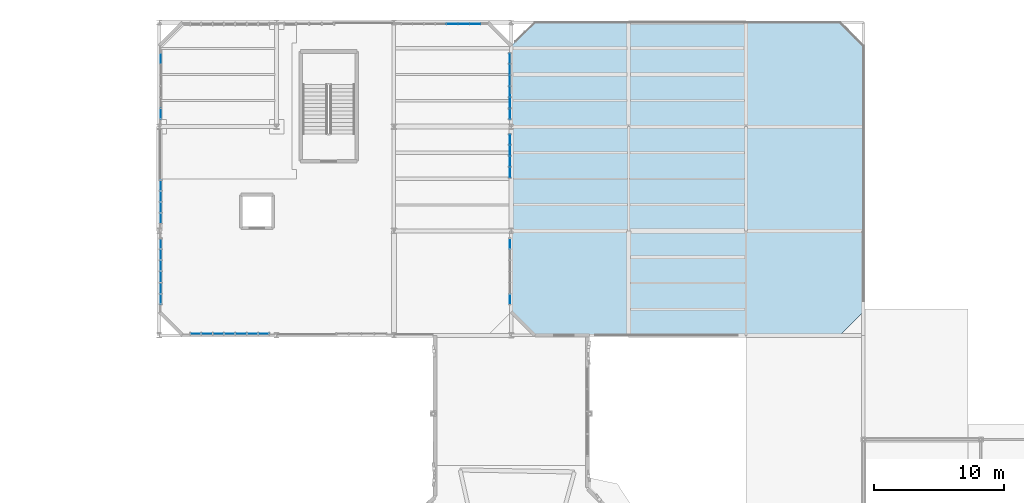
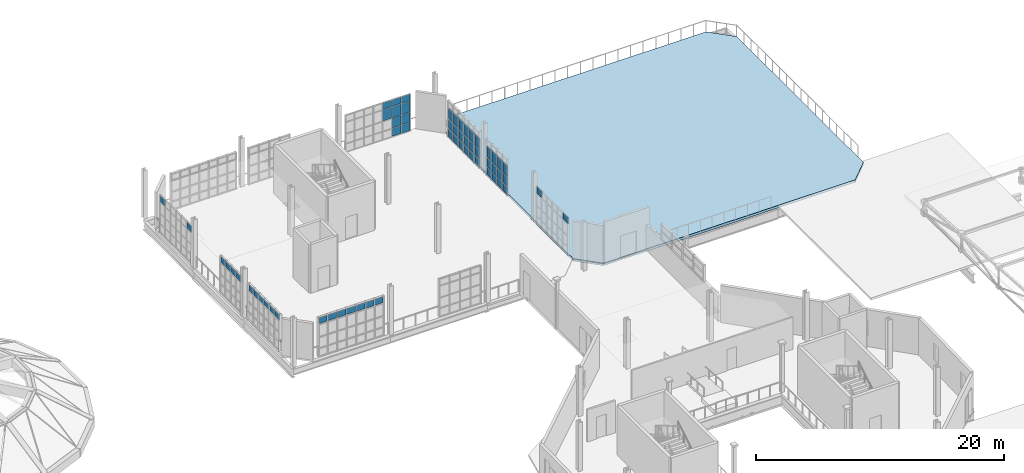
# One storey, part 73 of 85: 61 plates, 1 slab, 8 elements without a shape of their own.
"""IFC4 building model written with IfcOpenShell, lengths in metres."""

from ifc_helpers import new_model, si_unit, direction, frame, origin, origin_2d, place, context, subcontext, project, spatial, polyline, rectangle, outline, extrude, material, layer, layer_set, type_object, element, aggregate, save


model = new_model("IFC4")

# Units and contexts
model_context = context("Model", 3, precision=1e-05, world=origin(), true_north=direction((0.0, 1.0)))
body_context = subcontext(model_context, "Body", "Model", "MODEL_VIEW")
ifc_project = project(units=[si_unit("LENGTHUNIT", "METRE"), si_unit("AREAUNIT", "SQUARE_METRE"), si_unit("VOLUMEUNIT", "CUBIC_METRE"), si_unit("PLANEANGLEUNIT", "RADIAN"), si_unit("MASSUNIT", "GRAM", prefix="KILO"), si_unit("THERMODYNAMICTEMPERATUREUNIT", "KELVIN"), si_unit("POWERUNIT", "WATT")], contexts=[model_context])

# Site, building, storey
site_placement = place(None, origin())
site = spatial("IfcSite", under=ifc_project, at=site_placement, CompositionType="ELEMENT")
building_placement = place(site_placement, origin())
building = spatial("IfcBuilding", under=site, at=building_placement, Name="Zelmaris Science Centre", CompositionType="ELEMENT")
storey_placement = place(building_placement, frame((0.0, 0.0, 20.39990234375)))
storey = spatial("IfcBuildingStorey", under=building, at=storey_placement, Name="L04", CompositionType="ELEMENT", Elevation=20.39990234375)

# Curtain wall, plates
ifc_material_1 = material(Name="Anodised architectural aluminium 6063-T6", Category="aluminium")
ifc_layer_1 = layer(ifc_material_1, 0.18994140625, Name="Anodised architectural aluminium 6063-T6")
ifc_layer_set_1 = layer_set([ifc_layer_1], Name="Anodised architectural aluminium 6063-T6")
curtain_wall_type_1 = type_object("IfcCurtainWallType", Name="Curtain Wall CW-01", PredefinedType="USERDEFINED", material=ifc_layer_set_1)
curtain_wall_1_placement = place(storey_placement, origin())
curtain_wall_1 = element("IfcCurtainWall", 1, at=curtain_wall_1_placement, inside=storey, type_object=curtain_wall_type_1, Name="L04 Unitised curtain wall 337", ObjectType="GLAZED CURTAIN WALL", PredefinedType="USERDEFINED")
ifc_material_2 = material(Name="Laminated hurricane-rated low-E insulated glazing", Category="glass")
ifc_layer_2 = layer(ifc_material_2, 0.031982421875, Name="Laminated hurricane-rated low-E insulated glazing")
ifc_layer_set_2 = layer_set([ifc_layer_2], Name="Laminated hurricane-rated low-E insulated glazing")
plate_type_1 = type_object("IfcPlateType", Name="Curtain Glazing Panel CWP-1 32mm", PredefinedType="CURTAIN_PANEL", material=ifc_layer_set_2)
plate_1_placement = place(storey_placement, frame((54.1201171875, 66.78466796875, 2.93896484375), z_axis=(0.0, 0.0, 1.0), x_axis=(0.0, 1.0, 0.0)))
plate_1 = element("IfcPlate", 2, at=plate_1_placement, type_object=plate_type_1, Name="CW-01 panel 1.4", PredefinedType="CURTAIN_PANEL", context=body_context, shape_type="SweptSolid", body=[
    extrude(rectangle(XDim=0.745361328125, YDim=0.031982421875, at=origin_2d()), origin(), (0.0, 0.0, 1.0), 0.592041015625),
])
plate_2_placement = place(storey_placement, frame((54.1201171875, 67.6201171875, 2.93896484375), z_axis=(0.0, 0.0, 1.0), x_axis=(0.0, 1.0, 0.0)))
plate_2 = element("IfcPlate", 3, at=plate_2_placement, type_object=plate_type_1, Name="CW-01 panel 2.4", PredefinedType="CURTAIN_PANEL", context=body_context, shape_type="SweptSolid", body=[
    extrude(rectangle(XDim=0.78125, YDim=0.031982421875, at=origin_2d()), origin(), (0.0, 0.0, 1.0), 0.592041015625),
])
plate_3_placement = place(storey_placement, frame((54.1201171875, 68.473388671875, 2.93896484375), z_axis=(0.0, 0.0, 1.0), x_axis=(0.0, 1.0, 0.0)))
plate_3 = element("IfcPlate", 4, at=plate_3_placement, type_object=plate_type_1, Name="CW-01 panel 3.4", PredefinedType="CURTAIN_PANEL", context=body_context, shape_type="SweptSolid", body=[
    extrude(rectangle(XDim=0.78125, YDim=0.031982421875, at=origin_2d()), origin(), (0.0, 0.0, 1.0), 0.592041015625),
])
plate_4_placement = place(storey_placement, frame((54.1201171875, 69.32666015625, 2.93896484375), z_axis=(0.0, 0.0, 1.0), x_axis=(0.0, 1.0, 0.0)))
plate_4 = element("IfcPlate", 5, at=plate_4_placement, type_object=plate_type_1, Name="CW-01 panel 4.4", PredefinedType="CURTAIN_PANEL", context=body_context, shape_type="SweptSolid", body=[
    extrude(rectangle(XDim=0.78125, YDim=0.031982421875, at=origin_2d()), origin(), (0.0, 0.0, 1.0), 0.592041015625),
])
plate_5_placement = place(storey_placement, frame((54.1201171875, 70.179931640625, 2.93896484375), z_axis=(0.0, 0.0, 1.0), x_axis=(0.0, 1.0, 0.0)))
plate_5 = element("IfcPlate", 6, at=plate_5_placement, type_object=plate_type_1, Name="CW-01 panel 5.4", PredefinedType="CURTAIN_PANEL", context=body_context, shape_type="SweptSolid", body=[
    extrude(rectangle(XDim=0.78125, YDim=0.031982421875, at=origin_2d()), origin(), (0.0, 0.0, 1.0), 0.592041015625),
])
plate_6_placement = place(storey_placement, frame((54.1201171875, 71.015380859375, 2.93896484375), z_axis=(0.0, 0.0, 1.0), x_axis=(0.0, 1.0, 0.0)))
plate_6 = element("IfcPlate", 7, at=plate_6_placement, type_object=plate_type_1, Name="CW-01 panel 6.4", PredefinedType="CURTAIN_PANEL", context=body_context, shape_type="SweptSolid", body=[
    extrude(rectangle(XDim=0.745361328125, YDim=0.031982421875, at=origin_2d()), origin(), (0.0, 0.0, 1.0), 0.592041015625),
])
aggregate(curtain_wall_1, [plate_1, plate_2, plate_3, plate_4, plate_5, plate_6])

curtain_wall_2_placement = place(storey_placement, origin())
curtain_wall_2 = element("IfcCurtainWall", 8, at=curtain_wall_2_placement, inside=storey, type_object=curtain_wall_type_1, Name="L04 Unitised curtain wall 345", ObjectType="GLAZED CURTAIN WALL", PredefinedType="USERDEFINED")
plate_7_placement = place(storey_placement, frame((80.880615234375, 85.21533203125, 0.05712890625), z_axis=(0.0, 0.0, 1.0), x_axis=(0.000781249768, -0.999999694824, 0.0)))
plate_7 = element("IfcPlate", 9, at=plate_7_placement, type_object=plate_type_1, Name="CW-01 panel 1.1", PredefinedType="CURTAIN_PANEL", context=body_context, shape_type="SweptSolid", body=[
    extrude(rectangle(XDim=0.745361328125, YDim=0.031982421875, at=origin_2d()), origin(), (0.0, 0.0, 1.0), 0.741943359375),
])
plate_8_placement = place(storey_placement, frame((80.880615234375, 85.21533203125, 0.87109375), z_axis=(0.0, 0.0, 1.0), x_axis=(0.000781249768, -0.999999694824, 0.0)))
plate_8 = element("IfcPlate", 10, at=plate_8_placement, type_object=plate_type_1, Name="CW-01 panel 1.2", PredefinedType="CURTAIN_PANEL", context=body_context, shape_type="SweptSolid", body=[
    extrude(rectangle(XDim=0.745361328125, YDim=0.031982421875, at=origin_2d()), origin(), (0.0, 0.0, 1.0), 0.87939453125),
])
plate_9_placement = place(storey_placement, frame((80.880615234375, 85.21533203125, 1.82275390625), z_axis=(0.0, 0.0, 1.0), x_axis=(0.000781249768, -0.999999694824, 0.0)))
plate_9 = element("IfcPlate", 11, at=plate_9_placement, type_object=plate_type_1, Name="CW-01 panel 1.3", PredefinedType="CURTAIN_PANEL", context=body_context, shape_type="SweptSolid", body=[
    extrude(rectangle(XDim=0.745361328125, YDim=0.031982421875, at=origin_2d()), origin(), (0.0, 0.0, 1.0), 1.029541015625),
])
plate_10_placement = place(storey_placement, frame((80.88134765625, 84.3798828125, 0.05712890625), z_axis=(0.0, 0.0, 1.0), x_axis=(0.000781249768, -0.999999694824, 0.0)))
plate_10 = element("IfcPlate", 12, at=plate_10_placement, type_object=plate_type_1, Name="CW-01 panel 2.1", PredefinedType="CURTAIN_PANEL", context=body_context, shape_type="SweptSolid", body=[
    extrude(rectangle(XDim=0.78125, YDim=0.031982421875, at=origin_2d()), origin(), (0.0, 0.0, 1.0), 0.741943359375),
])
plate_11_placement = place(storey_placement, frame((80.88134765625, 84.3798828125, 0.87109375), z_axis=(0.0, 0.0, 1.0), x_axis=(0.000781249768, -0.999999694824, 0.0)))
plate_11 = element("IfcPlate", 13, at=plate_11_placement, type_object=plate_type_1, Name="CW-01 panel 2.2", PredefinedType="CURTAIN_PANEL", context=body_context, shape_type="SweptSolid", body=[
    extrude(rectangle(XDim=0.78125, YDim=0.031982421875, at=origin_2d()), origin(), (0.0, 0.0, 1.0), 0.87939453125),
])
plate_12_placement = place(storey_placement, frame((80.88134765625, 84.3798828125, 1.82275390625), z_axis=(0.0, 0.0, 1.0), x_axis=(0.000781249768, -0.999999694824, 0.0)))
plate_12 = element("IfcPlate", 14, at=plate_12_placement, type_object=plate_type_1, Name="CW-01 panel 2.3", PredefinedType="CURTAIN_PANEL", context=body_context, shape_type="SweptSolid", body=[
    extrude(rectangle(XDim=0.78125, YDim=0.031982421875, at=origin_2d()), origin(), (0.0, 0.0, 1.0), 1.029541015625),
])
plate_13_placement = place(storey_placement, frame((80.882080078125, 83.526611328125, 0.05712890625), z_axis=(0.0, 0.0, 1.0), x_axis=(0.000781249768, -0.999999694824, 0.0)))
plate_13 = element("IfcPlate", 15, at=plate_13_placement, type_object=plate_type_1, Name="CW-01 panel 3.1", PredefinedType="CURTAIN_PANEL", context=body_context, shape_type="SweptSolid", body=[
    extrude(rectangle(XDim=0.78125, YDim=0.031982421875, at=origin_2d()), origin(), (0.0, 0.0, 1.0), 0.741943359375),
])
plate_14_placement = place(storey_placement, frame((80.882080078125, 83.526611328125, 0.87109375), z_axis=(0.0, 0.0, 1.0), x_axis=(0.000781249768, -0.999999694824, 0.0)))
plate_14 = element("IfcPlate", 16, at=plate_14_placement, type_object=plate_type_1, Name="CW-01 panel 3.2", PredefinedType="CURTAIN_PANEL", context=body_context, shape_type="SweptSolid", body=[
    extrude(rectangle(XDim=0.78125, YDim=0.031982421875, at=origin_2d()), origin(), (0.0, 0.0, 1.0), 0.87939453125),
])
plate_15_placement = place(storey_placement, frame((80.882080078125, 83.526611328125, 1.82275390625), z_axis=(0.0, 0.0, 1.0), x_axis=(0.000781249768, -0.999999694824, 0.0)))
plate_15 = element("IfcPlate", 17, at=plate_15_placement, type_object=plate_type_1, Name="CW-01 panel 3.3", PredefinedType="CURTAIN_PANEL", context=body_context, shape_type="SweptSolid", body=[
    extrude(rectangle(XDim=0.78125, YDim=0.031982421875, at=origin_2d()), origin(), (0.0, 0.0, 1.0), 1.029541015625),
])
plate_16_placement = place(storey_placement, frame((80.882568359375, 82.67333984375, 0.05712890625), z_axis=(0.0, 0.0, 1.0), x_axis=(0.000781249768, -0.999999694824, 0.0)))
plate_16 = element("IfcPlate", 18, at=plate_16_placement, type_object=plate_type_1, Name="CW-01 panel 4.1", PredefinedType="CURTAIN_PANEL", context=body_context, shape_type="SweptSolid", body=[
    extrude(rectangle(XDim=0.78125, YDim=0.031982421875, at=origin_2d()), origin(), (0.0, 0.0, 1.0), 0.741943359375),
])
plate_17_placement = place(storey_placement, frame((80.882568359375, 82.67333984375, 0.87109375), z_axis=(0.0, 0.0, 1.0), x_axis=(0.000781249768, -0.999999694824, 0.0)))
plate_17 = element("IfcPlate", 19, at=plate_17_placement, type_object=plate_type_1, Name="CW-01 panel 4.2", PredefinedType="CURTAIN_PANEL", context=body_context, shape_type="SweptSolid", body=[
    extrude(rectangle(XDim=0.78125, YDim=0.031982421875, at=origin_2d()), origin(), (0.0, 0.0, 1.0), 0.87939453125),
])
plate_18_placement = place(storey_placement, frame((80.882568359375, 82.67333984375, 1.82275390625), z_axis=(0.0, 0.0, 1.0), x_axis=(0.000781249768, -0.999999694824, 0.0)))
plate_18 = element("IfcPlate", 20, at=plate_18_placement, type_object=plate_type_1, Name="CW-01 panel 4.3", PredefinedType="CURTAIN_PANEL", context=body_context, shape_type="SweptSolid", body=[
    extrude(rectangle(XDim=0.78125, YDim=0.031982421875, at=origin_2d()), origin(), (0.0, 0.0, 1.0), 1.029541015625),
])
plate_19_placement = place(storey_placement, frame((80.88330078125, 81.81982421875, 0.05712890625), z_axis=(0.0, 0.0, 1.0), x_axis=(0.000781249768, -0.999999694824, 0.0)))
plate_19 = element("IfcPlate", 21, at=plate_19_placement, type_object=plate_type_1, Name="CW-01 panel 5.1", PredefinedType="CURTAIN_PANEL", context=body_context, shape_type="SweptSolid", body=[
    extrude(rectangle(XDim=0.78125, YDim=0.031982421875, at=origin_2d()), origin(), (0.0, 0.0, 1.0), 0.741943359375),
])
plate_20_placement = place(storey_placement, frame((80.88330078125, 81.81982421875, 0.87109375), z_axis=(0.0, 0.0, 1.0), x_axis=(0.000781249768, -0.999999694824, 0.0)))
plate_20 = element("IfcPlate", 22, at=plate_20_placement, type_object=plate_type_1, Name="CW-01 panel 5.2", PredefinedType="CURTAIN_PANEL", context=body_context, shape_type="SweptSolid", body=[
    extrude(rectangle(XDim=0.78125, YDim=0.031982421875, at=origin_2d()), origin(), (0.0, 0.0, 1.0), 0.87939453125),
])
plate_21_placement = place(storey_placement, frame((80.88330078125, 81.81982421875, 1.82275390625), z_axis=(0.0, 0.0, 1.0), x_axis=(0.000781249768, -0.999999694824, 0.0)))
plate_21 = element("IfcPlate", 23, at=plate_21_placement, type_object=plate_type_1, Name="CW-01 panel 5.3", PredefinedType="CURTAIN_PANEL", context=body_context, shape_type="SweptSolid", body=[
    extrude(rectangle(XDim=0.78125, YDim=0.031982421875, at=origin_2d()), origin(), (0.0, 0.0, 1.0), 1.029541015625),
])
plate_22_placement = place(storey_placement, frame((80.884033203125, 80.984619140625, 0.05712890625), z_axis=(0.0, 0.0, 1.0), x_axis=(0.000781249768, -0.999999694824, 0.0)))
plate_22 = element("IfcPlate", 24, at=plate_22_placement, type_object=plate_type_1, Name="CW-01 panel 6.1", PredefinedType="CURTAIN_PANEL", context=body_context, shape_type="SweptSolid", body=[
    extrude(rectangle(XDim=0.745361328125, YDim=0.031982421875, at=origin_2d()), origin(), (0.0, 0.0, 1.0), 0.741943359375),
])
plate_23_placement = place(storey_placement, frame((80.884033203125, 80.984619140625, 0.87109375), z_axis=(0.0, 0.0, 1.0), x_axis=(0.000781249768, -0.999999694824, 0.0)))
plate_23 = element("IfcPlate", 25, at=plate_23_placement, type_object=plate_type_1, Name="CW-01 panel 6.2", PredefinedType="CURTAIN_PANEL", context=body_context, shape_type="SweptSolid", body=[
    extrude(rectangle(XDim=0.745361328125, YDim=0.031982421875, at=origin_2d()), origin(), (0.0, 0.0, 1.0), 0.87939453125),
])
plate_24_placement = place(storey_placement, frame((80.884033203125, 80.984619140625, 1.82275390625), z_axis=(0.0, 0.0, 1.0), x_axis=(0.000781249768, -0.999999694824, 0.0)))
plate_24 = element("IfcPlate", 26, at=plate_24_placement, type_object=plate_type_1, Name="CW-01 panel 6.3", PredefinedType="CURTAIN_PANEL", context=body_context, shape_type="SweptSolid", body=[
    extrude(rectangle(XDim=0.745361328125, YDim=0.031982421875, at=origin_2d()), origin(), (0.0, 0.0, 1.0), 1.029541015625),
])
aggregate(curtain_wall_2, [plate_7, plate_8, plate_9, plate_10, plate_11, plate_12, plate_13, plate_14, plate_15, plate_16, plate_17, plate_18, plate_19, plate_20, plate_21, plate_22, plate_23, plate_24])

curtain_wall_3_placement = place(storey_placement, origin())
curtain_wall_3 = element("IfcCurtainWall", 27, at=curtain_wall_3_placement, inside=storey, type_object=curtain_wall_type_1, Name="L04 Unitised curtain wall 357", ObjectType="GLAZED CURTAIN WALL", PredefinedType="USERDEFINED")
plate_25_placement = place(storey_placement, frame((62.0048828125, 64.1201171875, 3.22412109375), z_axis=(0.0, 0.0, 1.0), x_axis=(-0.999999999867, 1.6339877e-05, 0.0)))
plate_25 = element("IfcPlate", 28, at=plate_25_placement, type_object=plate_type_1, Name="CW-01 panel 1.4", PredefinedType="CURTAIN_PANEL", context=body_context, shape_type="SweptSolid", body=[
    extrude(rectangle(XDim=0.766357421875, YDim=0.031982421875, at=origin_2d()), origin(), (0.0, 0.0, 1.0), 0.592041015625),
])
plate_26_placement = place(storey_placement, frame((61.148681640625, 64.1201171875, 3.22412109375), z_axis=(0.0, 0.0, 1.0), x_axis=(-0.999999999867, 1.6339877e-05, 0.0)))
plate_26 = element("IfcPlate", 29, at=plate_26_placement, type_object=plate_type_1, Name="CW-01 panel 2.4", PredefinedType="CURTAIN_PANEL", context=body_context, shape_type="SweptSolid", body=[
    extrude(rectangle(XDim=0.80224609375, YDim=0.031982421875, at=origin_2d()), origin(), (0.0, 0.0, 1.0), 0.592041015625),
])
plate_27_placement = place(storey_placement, frame((60.274169921875, 64.1201171875, 3.22412109375), z_axis=(0.0, 0.0, 1.0), x_axis=(-0.999999999867, 1.6339877e-05, 0.0)))
plate_27 = element("IfcPlate", 30, at=plate_27_placement, type_object=plate_type_1, Name="CW-01 panel 3.4", PredefinedType="CURTAIN_PANEL", context=body_context, shape_type="SweptSolid", body=[
    extrude(rectangle(XDim=0.80224609375, YDim=0.031982421875, at=origin_2d()), origin(), (0.0, 0.0, 1.0), 0.592041015625),
])
plate_28_placement = place(storey_placement, frame((59.39990234375, 64.1201171875, 3.22412109375), z_axis=(0.0, 0.0, 1.0), x_axis=(-0.999999999867, 1.6339877e-05, 0.0)))
plate_28 = element("IfcPlate", 31, at=plate_28_placement, type_object=plate_type_1, Name="CW-01 panel 4.4", PredefinedType="CURTAIN_PANEL", context=body_context, shape_type="SweptSolid", body=[
    extrude(rectangle(XDim=0.80224609375, YDim=0.031982421875, at=origin_2d()), origin(), (0.0, 0.0, 1.0), 0.592041015625),
])
plate_29_placement = place(storey_placement, frame((58.525634765625, 64.1201171875, 3.22412109375), z_axis=(0.0, 0.0, 1.0), x_axis=(-0.999999999867, 1.6339877e-05, 0.0)))
plate_29 = element("IfcPlate", 32, at=plate_29_placement, type_object=plate_type_1, Name="CW-01 panel 5.4", PredefinedType="CURTAIN_PANEL", context=body_context, shape_type="SweptSolid", body=[
    extrude(rectangle(XDim=0.80224609375, YDim=0.031982421875, at=origin_2d()), origin(), (0.0, 0.0, 1.0), 0.592041015625),
])
plate_30_placement = place(storey_placement, frame((57.6513671875, 64.1201171875, 3.22412109375), z_axis=(0.0, 0.0, 1.0), x_axis=(-0.999999999867, 1.6339877e-05, 0.0)))
plate_30 = element("IfcPlate", 33, at=plate_30_placement, type_object=plate_type_1, Name="CW-01 panel 6.4", PredefinedType="CURTAIN_PANEL", context=body_context, shape_type="SweptSolid", body=[
    extrude(rectangle(XDim=0.80224609375, YDim=0.031982421875, at=origin_2d()), origin(), (0.0, 0.0, 1.0), 0.592041015625),
])
plate_31_placement = place(storey_placement, frame((56.795166015625, 64.1201171875, 3.22412109375), z_axis=(0.0, 0.0, 1.0), x_axis=(-0.999999999867, 1.6339877e-05, 0.0)))
plate_31 = element("IfcPlate", 34, at=plate_31_placement, type_object=plate_type_1, Name="CW-01 panel 7.4", PredefinedType="CURTAIN_PANEL", context=body_context, shape_type="SweptSolid", body=[
    extrude(rectangle(XDim=0.766357421875, YDim=0.031982421875, at=origin_2d()), origin(), (0.0, 0.0, 1.0), 0.592041015625),
])
aggregate(curtain_wall_3, [plate_25, plate_26, plate_27, plate_28, plate_29, plate_30, plate_31])

ifc_layer_3 = layer(ifc_material_1, 0.199951171875, Name="Anodised architectural aluminium 6063-T6")
ifc_layer_set_3 = layer_set([ifc_layer_3], Name="Anodised architectural aluminium 6063-T6")
curtain_wall_type_2 = type_object("IfcCurtainWallType", Name="Curtain Wall CW-02", PredefinedType="USERDEFINED", material=ifc_layer_set_3)
curtain_wall_4_placement = place(storey_placement, origin())
curtain_wall_4 = element("IfcCurtainWall", 35, at=curtain_wall_4_placement, inside=storey, type_object=curtain_wall_type_2, Name="L04 Unitised curtain wall 338", ObjectType="GLAZED CURTAIN WALL", PredefinedType="USERDEFINED")
ifc_layer_4 = layer(ifc_material_2, 0.028076171875, Name="Laminated hurricane-rated low-E insulated glazing")
ifc_layer_set_4 = layer_set([ifc_layer_4], Name="Laminated hurricane-rated low-E insulated glazing")
plate_type_2 = type_object("IfcPlateType", Name="Curtain Glazing Panel CWP-2 28mm", PredefinedType="CURTAIN_PANEL", material=ifc_layer_set_4)
plate_32_placement = place(storey_placement, frame((54.1201171875, 72.981689453125, 2.9365234375), z_axis=(0.0, 0.0, 1.0), x_axis=(0.0, 1.0, 0.0)))
plate_32 = element("IfcPlate", 36, at=plate_32_placement, type_object=plate_type_2, Name="CW-02 panel 1.4", PredefinedType="CURTAIN_PANEL", context=body_context, shape_type="SweptSolid", body=[
    extrude(rectangle(XDim=0.74951171875, YDim=0.028076171875, at=origin_2d()), origin(), (0.0, 0.0, 1.0), 0.599609375),
])
plate_33_placement = place(storey_placement, frame((54.1201171875, 73.81494140625, 2.9365234375), z_axis=(0.0, 0.0, 1.0), x_axis=(0.0, 1.0, 0.0)))
plate_33 = element("IfcPlate", 37, at=plate_33_placement, type_object=plate_type_2, Name="CW-02 panel 2.4", PredefinedType="CURTAIN_PANEL", context=body_context, shape_type="SweptSolid", body=[
    extrude(rectangle(XDim=0.782958984375, YDim=0.028076171875, at=origin_2d()), origin(), (0.0, 0.0, 1.0), 0.599609375),
])
plate_34_placement = place(storey_placement, frame((54.1201171875, 74.6650390625, 2.9365234375), z_axis=(0.0, 0.0, 1.0), x_axis=(0.0, 1.0, 0.0)))
plate_34 = element("IfcPlate", 38, at=plate_34_placement, type_object=plate_type_2, Name="CW-02 panel 3.4", PredefinedType="CURTAIN_PANEL", context=body_context, shape_type="SweptSolid", body=[
    extrude(rectangle(XDim=0.782958984375, YDim=0.028076171875, at=origin_2d()), origin(), (0.0, 0.0, 1.0), 0.599609375),
])
plate_35_placement = place(storey_placement, frame((54.1201171875, 75.498291015625, 2.9365234375), z_axis=(0.0, 0.0, 1.0), x_axis=(0.0, 1.0, 0.0)))
plate_35 = element("IfcPlate", 39, at=plate_35_placement, type_object=plate_type_2, Name="CW-02 panel 4.4", PredefinedType="CURTAIN_PANEL", context=body_context, shape_type="SweptSolid", body=[
    extrude(rectangle(XDim=0.74951171875, YDim=0.028076171875, at=origin_2d()), origin(), (0.0, 0.0, 1.0), 0.599609375),
])
aggregate(curtain_wall_4, [plate_32, plate_33, plate_34, plate_35])

curtain_wall_5_placement = place(storey_placement, origin())
curtain_wall_5 = element("IfcCurtainWall", 40, at=curtain_wall_5_placement, inside=storey, type_object=curtain_wall_type_2, Name="L04 Unitised curtain wall 346", ObjectType="GLAZED CURTAIN WALL", PredefinedType="USERDEFINED")
plate_36_placement = place(storey_placement, frame((80.885498046875, 79.01806640625, 0.052001953125), z_axis=(0.0, 0.0, 1.0), x_axis=(0.000794117396, -0.999999684689, 0.0)))
plate_36 = element("IfcPlate", 41, at=plate_36_placement, type_object=plate_type_2, Name="CW-02 panel 1.1", PredefinedType="CURTAIN_PANEL", context=body_context, shape_type="SweptSolid", body=[
    extrude(rectangle(XDim=0.74951171875, YDim=0.028076171875, at=origin_2d()), origin(), (0.0, 0.0, 1.0), 0.74951171875),
])
plate_37_placement = place(storey_placement, frame((80.885498046875, 79.01806640625, 0.86865234375), z_axis=(0.0, 0.0, 1.0), x_axis=(0.000794117396, -0.999999684689, 0.0)))
plate_37 = element("IfcPlate", 42, at=plate_37_placement, type_object=plate_type_2, Name="CW-02 panel 1.2", PredefinedType="CURTAIN_PANEL", context=body_context, shape_type="SweptSolid", body=[
    extrude(rectangle(XDim=0.74951171875, YDim=0.028076171875, at=origin_2d()), origin(), (0.0, 0.0, 1.0), 0.884521484375),
])
plate_38_placement = place(storey_placement, frame((80.885498046875, 79.01806640625, 1.8203125), z_axis=(0.0, 0.0, 1.0), x_axis=(0.000794117396, -0.999999684689, 0.0)))
plate_38 = element("IfcPlate", 43, at=plate_38_placement, type_object=plate_type_2, Name="CW-02 panel 1.3", PredefinedType="CURTAIN_PANEL", context=body_context, shape_type="SweptSolid", body=[
    extrude(rectangle(XDim=0.74951171875, YDim=0.028076171875, at=origin_2d()), origin(), (0.0, 0.0, 1.0), 1.034423828125),
])
plate_39_placement = place(storey_placement, frame((80.88623046875, 78.184814453125, 0.052001953125), z_axis=(0.0, 0.0, 1.0), x_axis=(0.000794117396, -0.999999684689, 0.0)))
plate_39 = element("IfcPlate", 44, at=plate_39_placement, type_object=plate_type_2, Name="CW-02 panel 2.1", PredefinedType="CURTAIN_PANEL", context=body_context, shape_type="SweptSolid", body=[
    extrude(rectangle(XDim=0.782958984375, YDim=0.028076171875, at=origin_2d()), origin(), (0.0, 0.0, 1.0), 0.74951171875),
])
plate_40_placement = place(storey_placement, frame((80.88623046875, 78.184814453125, 0.86865234375), z_axis=(0.0, 0.0, 1.0), x_axis=(0.000794117396, -0.999999684689, 0.0)))
plate_40 = element("IfcPlate", 45, at=plate_40_placement, type_object=plate_type_2, Name="CW-02 panel 2.2", PredefinedType="CURTAIN_PANEL", context=body_context, shape_type="SweptSolid", body=[
    extrude(rectangle(XDim=0.782958984375, YDim=0.028076171875, at=origin_2d()), origin(), (0.0, 0.0, 1.0), 0.884521484375),
])
plate_41_placement = place(storey_placement, frame((80.88623046875, 78.184814453125, 1.8203125), z_axis=(0.0, 0.0, 1.0), x_axis=(0.000794117396, -0.999999684689, 0.0)))
plate_41 = element("IfcPlate", 46, at=plate_41_placement, type_object=plate_type_2, Name="CW-02 panel 2.3", PredefinedType="CURTAIN_PANEL", context=body_context, shape_type="SweptSolid", body=[
    extrude(rectangle(XDim=0.782958984375, YDim=0.028076171875, at=origin_2d()), origin(), (0.0, 0.0, 1.0), 1.034423828125),
])
plate_42_placement = place(storey_placement, frame((80.88671875, 77.3349609375, 0.052001953125), z_axis=(0.0, 0.0, 1.0), x_axis=(0.000794117396, -0.999999684689, 0.0)))
plate_42 = element("IfcPlate", 47, at=plate_42_placement, type_object=plate_type_2, Name="CW-02 panel 3.1", PredefinedType="CURTAIN_PANEL", context=body_context, shape_type="SweptSolid", body=[
    extrude(rectangle(XDim=0.782958984375, YDim=0.028076171875, at=origin_2d()), origin(), (0.0, 0.0, 1.0), 0.74951171875),
])
plate_43_placement = place(storey_placement, frame((80.88671875, 77.3349609375, 0.86865234375), z_axis=(0.0, 0.0, 1.0), x_axis=(0.000794117396, -0.999999684689, 0.0)))
plate_43 = element("IfcPlate", 48, at=plate_43_placement, type_object=plate_type_2, Name="CW-02 panel 3.2", PredefinedType="CURTAIN_PANEL", context=body_context, shape_type="SweptSolid", body=[
    extrude(rectangle(XDim=0.782958984375, YDim=0.028076171875, at=origin_2d()), origin(), (0.0, 0.0, 1.0), 0.884521484375),
])
plate_44_placement = place(storey_placement, frame((80.88671875, 77.3349609375, 1.8203125), z_axis=(0.0, 0.0, 1.0), x_axis=(0.000794117396, -0.999999684689, 0.0)))
plate_44 = element("IfcPlate", 49, at=plate_44_placement, type_object=plate_type_2, Name="CW-02 panel 3.3", PredefinedType="CURTAIN_PANEL", context=body_context, shape_type="SweptSolid", body=[
    extrude(rectangle(XDim=0.782958984375, YDim=0.028076171875, at=origin_2d()), origin(), (0.0, 0.0, 1.0), 1.034423828125),
])
plate_45_placement = place(storey_placement, frame((80.887451171875, 76.501708984375, 0.052001953125), z_axis=(0.0, 0.0, 1.0), x_axis=(0.000794117396, -0.999999684689, 0.0)))
plate_45 = element("IfcPlate", 50, at=plate_45_placement, type_object=plate_type_2, Name="CW-02 panel 4.1", PredefinedType="CURTAIN_PANEL", context=body_context, shape_type="SweptSolid", body=[
    extrude(rectangle(XDim=0.74951171875, YDim=0.028076171875, at=origin_2d()), origin(), (0.0, 0.0, 1.0), 0.74951171875),
])
plate_46_placement = place(storey_placement, frame((80.887451171875, 76.501708984375, 0.86865234375), z_axis=(0.0, 0.0, 1.0), x_axis=(0.000794117396, -0.999999684689, 0.0)))
plate_46 = element("IfcPlate", 51, at=plate_46_placement, type_object=plate_type_2, Name="CW-02 panel 4.2", PredefinedType="CURTAIN_PANEL", context=body_context, shape_type="SweptSolid", body=[
    extrude(rectangle(XDim=0.74951171875, YDim=0.028076171875, at=origin_2d()), origin(), (0.0, 0.0, 1.0), 0.884521484375),
])
plate_47_placement = place(storey_placement, frame((80.887451171875, 76.501708984375, 1.8203125), z_axis=(0.0, 0.0, 1.0), x_axis=(0.000794117396, -0.999999684689, 0.0)))
plate_47 = element("IfcPlate", 52, at=plate_47_placement, type_object=plate_type_2, Name="CW-02 panel 4.3", PredefinedType="CURTAIN_PANEL", context=body_context, shape_type="SweptSolid", body=[
    extrude(rectangle(XDim=0.74951171875, YDim=0.028076171875, at=origin_2d()), origin(), (0.0, 0.0, 1.0), 1.034423828125),
])
aggregate(curtain_wall_5, [plate_36, plate_37, plate_38, plate_39, plate_40, plate_41, plate_42, plate_43, plate_44, plate_45, plate_46, plate_47])

ifc_layer_5 = layer(ifc_material_1, 0.219970703125, Name="Anodised architectural aluminium 6063-T6")
ifc_layer_set_5 = layer_set([ifc_layer_5], Name="Anodised architectural aluminium 6063-T6")
curtain_wall_type_3 = type_object("IfcCurtainWallType", Name="Curtain Wall CW-04", PredefinedType="USERDEFINED", material=ifc_layer_set_5)
curtain_wall_6_placement = place(storey_placement, origin())
curtain_wall_6 = element("IfcCurtainWall", 53, at=curtain_wall_6_placement, inside=storey, type_object=curtain_wall_type_3, Name="L04 Unitised curtain wall 340", ObjectType="GLAZED CURTAIN WALL", PredefinedType="USERDEFINED")
ifc_layer_6 = layer(ifc_material_2, 0.02392578125, Name="Laminated hurricane-rated low-E insulated glazing")
ifc_layer_set_6 = layer_set([ifc_layer_6], Name="Laminated hurricane-rated low-E insulated glazing")
plate_type_3 = type_object("IfcPlateType", Name="Curtain Glazing Panel CWP-4 24mm", PredefinedType="CURTAIN_PANEL", material=ifc_layer_set_6)
plate_48_placement = place(storey_placement, frame((54.1201171875, 80.979736328125, 2.97998046875), z_axis=(0.0, 0.0, 1.0), x_axis=(0.0, 1.0, 0.0)))
plate_48 = element("IfcPlate", 54, at=plate_48_placement, type_object=plate_type_3, Name="CW-04 panel 1.4", PredefinedType="CURTAIN_PANEL", context=body_context, shape_type="SweptSolid", body=[
    extrude(rectangle(XDim=0.775390625, YDim=0.02392578125, at=origin_2d()), origin(), (0.0, 0.0, 1.0), 0.6220703125),
])
plate_49_placement = place(storey_placement, frame((54.1201171875, 85.22021484375, 2.97998046875), z_axis=(0.0, 0.0, 1.0), x_axis=(0.0, 1.0, 0.0)))
plate_49 = element("IfcPlate", 55, at=plate_49_placement, type_object=plate_type_3, Name="CW-04 panel 6.4", PredefinedType="CURTAIN_PANEL", context=body_context, shape_type="SweptSolid", body=[
    extrude(rectangle(XDim=0.775390625, YDim=0.02392578125, at=origin_2d()), origin(), (0.0, 0.0, 1.0), 0.6220703125),
])
aggregate(curtain_wall_6, [plate_48, plate_49])

curtain_wall_7_placement = place(storey_placement, origin())
curtain_wall_7 = element("IfcCurtainWall", 56, at=curtain_wall_7_placement, inside=storey, type_object=curtain_wall_type_3, Name="L04 Unitised curtain wall 344", ObjectType="GLAZED CURTAIN WALL", PredefinedType="USERDEFINED")
plate_50_placement = place(storey_placement, frame((76.474365234375, 87.8798828125, 1.8505859375), z_axis=(0.0, 0.0, 1.0), x_axis=(1.0, 0.0, 0.0)))
plate_50 = element("IfcPlate", 57, at=plate_50_placement, type_object=plate_type_3, Name="CW-04 panel 5.3", PredefinedType="CURTAIN_PANEL", context=body_context, shape_type="SweptSolid", body=[
    extrude(rectangle(XDim=0.822265625, YDim=0.02392578125, at=origin_2d()), origin(), (0.0, 0.0, 1.0), 1.08740234375),
])
plate_51_placement = place(storey_placement, frame((76.474365234375, 87.8798828125, 2.989990234375), z_axis=(0.0, 0.0, 1.0), x_axis=(1.0, 0.0, 0.0)))
plate_51 = element("IfcPlate", 58, at=plate_51_placement, type_object=plate_type_3, Name="CW-04 panel 5.4", PredefinedType="CURTAIN_PANEL", context=body_context, shape_type="SweptSolid", body=[
    extrude(rectangle(XDim=0.822265625, YDim=0.02392578125, at=origin_2d()), origin(), (0.0, 0.0, 1.0), 0.6220703125),
])
plate_52_placement = place(storey_placement, frame((77.3486328125, 87.8798828125, 0.037109375), z_axis=(0.0, 0.0, 1.0), x_axis=(1.0, 0.0, 0.0)))
plate_52 = element("IfcPlate", 59, at=plate_52_placement, type_object=plate_type_3, Name="CW-04 panel 6.1", PredefinedType="CURTAIN_PANEL", context=body_context, shape_type="SweptSolid", body=[
    extrude(rectangle(XDim=0.822265625, YDim=0.02392578125, at=origin_2d()), origin(), (0.0, 0.0, 1.0), 0.77197265625),
])
plate_53_placement = place(storey_placement, frame((77.3486328125, 87.8798828125, 0.861083984375), z_axis=(0.0, 0.0, 1.0), x_axis=(1.0, 0.0, 0.0)))
plate_53 = element("IfcPlate", 60, at=plate_53_placement, type_object=plate_type_3, Name="CW-04 panel 6.2", PredefinedType="CURTAIN_PANEL", context=body_context, shape_type="SweptSolid", body=[
    extrude(rectangle(XDim=0.822265625, YDim=0.02392578125, at=origin_2d()), origin(), (0.0, 0.0, 1.0), 0.9375),
])
plate_54_placement = place(storey_placement, frame((77.3486328125, 87.8798828125, 1.8505859375), z_axis=(0.0, 0.0, 1.0), x_axis=(1.0, 0.0, 0.0)))
plate_54 = element("IfcPlate", 61, at=plate_54_placement, type_object=plate_type_3, Name="CW-04 panel 6.3", PredefinedType="CURTAIN_PANEL", context=body_context, shape_type="SweptSolid", body=[
    extrude(rectangle(XDim=0.822265625, YDim=0.02392578125, at=origin_2d()), origin(), (0.0, 0.0, 1.0), 1.08740234375),
])
plate_55_placement = place(storey_placement, frame((77.3486328125, 87.8798828125, 2.989990234375), z_axis=(0.0, 0.0, 1.0), x_axis=(1.0, 0.0, 0.0)))
plate_55 = element("IfcPlate", 62, at=plate_55_placement, type_object=plate_type_3, Name="CW-04 panel 6.4", PredefinedType="CURTAIN_PANEL", context=body_context, shape_type="SweptSolid", body=[
    extrude(rectangle(XDim=0.822265625, YDim=0.02392578125, at=origin_2d()), origin(), (0.0, 0.0, 1.0), 0.6220703125),
])
plate_56_placement = place(storey_placement, frame((78.2099609375, 87.8798828125, 0.037109375), z_axis=(0.0, 0.0, 1.0), x_axis=(1.0, 0.0, 0.0)))
plate_56 = element("IfcPlate", 63, at=plate_56_placement, type_object=plate_type_3, Name="CW-04 panel 7.1", PredefinedType="CURTAIN_PANEL", context=body_context, shape_type="SweptSolid", body=[
    extrude(rectangle(XDim=0.79638671875, YDim=0.02392578125, at=origin_2d()), origin(), (0.0, 0.0, 1.0), 0.77197265625),
])
plate_57_placement = place(storey_placement, frame((78.2099609375, 87.8798828125, 0.861083984375), z_axis=(0.0, 0.0, 1.0), x_axis=(1.0, 0.0, 0.0)))
plate_57 = element("IfcPlate", 64, at=plate_57_placement, type_object=plate_type_3, Name="CW-04 panel 7.2", PredefinedType="CURTAIN_PANEL", context=body_context, shape_type="SweptSolid", body=[
    extrude(rectangle(XDim=0.79638671875, YDim=0.02392578125, at=origin_2d()), origin(), (0.0, 0.0, 1.0), 0.9375),
])
plate_58_placement = place(storey_placement, frame((78.2099609375, 87.8798828125, 1.8505859375), z_axis=(0.0, 0.0, 1.0), x_axis=(1.0, 0.0, 0.0)))
plate_58 = element("IfcPlate", 65, at=plate_58_placement, type_object=plate_type_3, Name="CW-04 panel 7.3", PredefinedType="CURTAIN_PANEL", context=body_context, shape_type="SweptSolid", body=[
    extrude(rectangle(XDim=0.79638671875, YDim=0.02392578125, at=origin_2d()), origin(), (0.0, 0.0, 1.0), 1.08740234375),
])
plate_59_placement = place(storey_placement, frame((78.2099609375, 87.8798828125, 2.989990234375), z_axis=(0.0, 0.0, 1.0), x_axis=(1.0, 0.0, 0.0)))
plate_59 = element("IfcPlate", 66, at=plate_59_placement, type_object=plate_type_3, Name="CW-04 panel 7.4", PredefinedType="CURTAIN_PANEL", context=body_context, shape_type="SweptSolid", body=[
    extrude(rectangle(XDim=0.79638671875, YDim=0.02392578125, at=origin_2d()), origin(), (0.0, 0.0, 1.0), 0.6220703125),
])
aggregate(curtain_wall_7, [plate_50, plate_51, plate_52, plate_53, plate_54, plate_55, plate_56, plate_57, plate_58, plate_59])

curtain_wall_8_placement = place(storey_placement, origin())
curtain_wall_8 = element("IfcCurtainWall", 67, at=curtain_wall_8_placement, inside=storey, type_object=curtain_wall_type_3, Name="L04 Unitised curtain wall 348", ObjectType="GLAZED CURTAIN WALL", PredefinedType="USERDEFINED")
plate_60_placement = place(storey_placement, frame((80.8916015625, 71.02001953125, 3.087158203125), z_axis=(0.0, 0.0, 1.0), x_axis=(0.000780716064, -0.999999695241, 0.0)))
plate_60 = element("IfcPlate", 68, at=plate_60_placement, type_object=plate_type_3, Name="CW-04 panel 1.4", PredefinedType="CURTAIN_PANEL", context=body_context, shape_type="SweptSolid", body=[
    extrude(rectangle(XDim=0.77587890625, YDim=0.02392578125, at=origin_2d()), origin(), (0.0, 0.0, 1.0), 0.6220703125),
])
plate_61_placement = place(storey_placement, frame((80.89501953125, 66.7763671875, 3.087158203125), z_axis=(0.0, 0.0, 1.0), x_axis=(0.000780716064, -0.999999695241, 0.0)))
plate_61 = element("IfcPlate", 69, at=plate_61_placement, type_object=plate_type_3, Name="CW-04 panel 6.4", PredefinedType="CURTAIN_PANEL", context=body_context, shape_type="SweptSolid", body=[
    extrude(rectangle(XDim=0.77587890625, YDim=0.02392578125, at=origin_2d()), origin(), (0.0, 0.0, 1.0), 0.6220703125),
])
aggregate(curtain_wall_8, [plate_60, plate_61])

# Slab
ifc_material_3 = material(Name="Concrete C40/50", Category="concrete")
ifc_layer_7 = layer(ifc_material_3, 0.25, Name="Concrete C40/50")
ifc_layer_set_7 = layer_set([ifc_layer_7], Name="Concrete C40/50")
slab_type = type_object("IfcSlabType", Name="Slab SL-TR250 250mm", PredefinedType="FLOOR", material=ifc_layer_set_7)
slab_placement = place(storey_placement, frame((0.0, 0.0, -0.25)))
element("IfcSlab", 70, at=slab_placement, inside=storey, type_object=slab_type, Name="L04 Rooftop observatory terrace slab", PredefinedType="FLOOR", context=body_context, shape_type="SweptSolid", body=[
    extrude(outline(polyline([(82.800048828125, 88.0), (106.199951171875, 88.0), (108.0, 86.199951171875), (108.0, 65.800048828125), (106.199951171875, 64.0), (82.800048828125, 64.0), (81.007080078125, 65.79296875), (81.007080078125, 86.20703125), (82.800048828125, 88.0)])), origin(), (0.0, 0.0, 1.0), 0.25),
])

save(model, "model.ifc")
